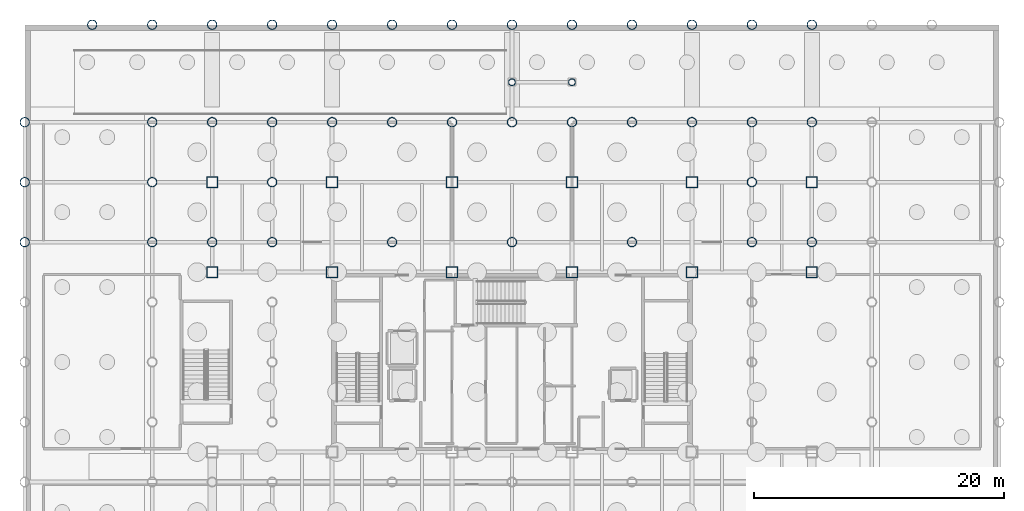
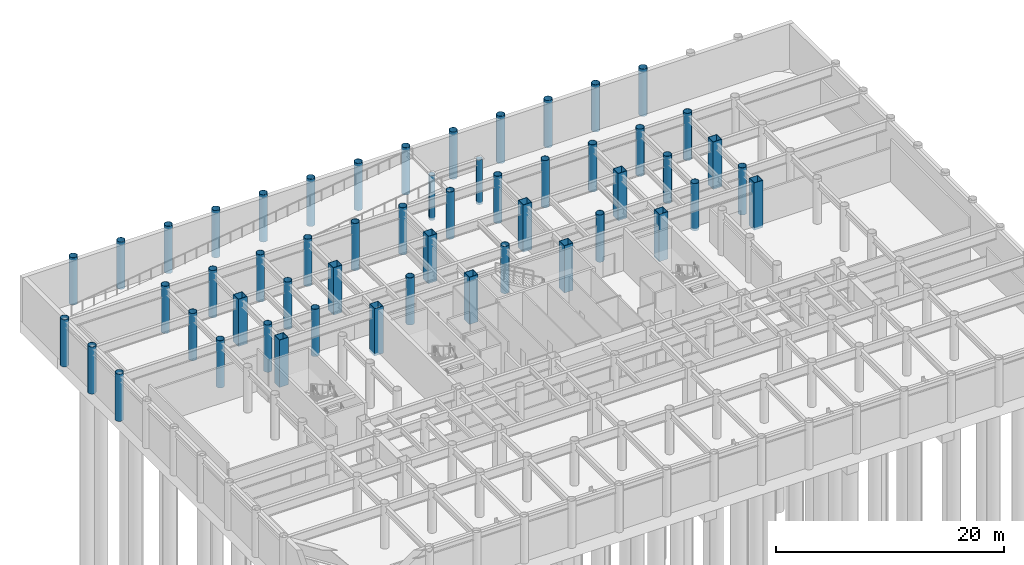
# One storey, part 4 of 17: 53 columns.
"""IFC4 building model written with IfcOpenShell, lengths in metres."""

from ifc_helpers import new_model, si_unit, direction, frame, origin, origin_2d, place, context, subcontext, project, spatial, hollow_rectangle, hollow_circle, extrude, material, material_profile, profile_set, type_object, element, save


model = new_model("IFC4")

# Units and contexts
model_context = context("Model", 3, precision=1e-05, world=origin(), true_north=direction((0.0, 1.0)))
body_context = subcontext(model_context, "Body", "Model", "MODEL_VIEW")
ifc_project = project(units=[si_unit("LENGTHUNIT", "METRE"), si_unit("AREAUNIT", "SQUARE_METRE"), si_unit("VOLUMEUNIT", "CUBIC_METRE"), si_unit("PLANEANGLEUNIT", "RADIAN"), si_unit("MASSUNIT", "GRAM", prefix="KILO")], contexts=[model_context])

# Site, building, storey
site_placement = place(None, origin())
site = spatial("IfcSite", under=ifc_project, at=site_placement, CompositionType="ELEMENT")
building_placement = place(site_placement, origin())
building = spatial("IfcBuilding", under=site, at=building_placement, Name="Kallvorn Hotel Tower", CompositionType="ELEMENT")
storey_placement = place(building_placement, frame((0.0, 0.0, -10.199951171875)))
storey = spatial("IfcBuildingStorey", under=building, at=storey_placement, Name="B2", CompositionType="ELEMENT", Elevation=-10.199951171875)

# Columns
ifc_material_1 = material(Name="Structural steel S355J2H", Category="steel")
ifc_material_profile_1 = material_profile(ifc_material_1, hollow_circle(Radius=0.279541015625, WallThickness=0.02490234375, at=origin_2d()), Name="CHS 559x25")
ifc_profile_set_1 = profile_set([ifc_material_profile_1], Name="Structural steel S355J2H")
column_type_1 = type_object("IfcColumnType", Name="COL_CHS_559", PredefinedType="COLUMN", material=ifc_profile_set_1)
for number, where, z_axis, x_axis, name in (
    (1, (0.0, 22.39990234375, -0.25), (0.0, 0.0, 1.0), (1.0, 0.0, 0.0), "B2 Vehicle Ramp Support Column W"),
    (2, (4.800048828125, 22.39990234375, -0.25), (0.0, 0.0, 1.0), (1.0, 0.0, 0.0), "B2 Vehicle Ramp Support Column E"),
):
    element("IfcColumn", number, at=place(storey_placement, frame(where, z_axis=z_axis, x_axis=x_axis)), inside=storey, type_object=column_type_1, Name=name, PredefinedType="COLUMN", context=body_context, shape_type="SweptSolid", body=[
        extrude(hollow_circle(Radius=0.279541015625, WallThickness=0.02490234375, at=origin_2d()), origin(), (0.0, 0.0, 1.0), 4.800048828125),
    ])
ifc_material_2 = material(Name="Structural steel S355J2H", Category="steel")
ifc_material_profile_2 = material_profile(ifc_material_2, hollow_circle(Radius=0.381103515625, WallThickness=0.031982421875, at=origin_2d()), Name="CHS 762x32")
ifc_profile_set_2 = profile_set([ifc_material_profile_2], Name="Structural steel S355J2H")
column_type_2 = type_object("IfcColumnType", Name="COL_CHS_762", PredefinedType="COLUMN", material=ifc_profile_set_2)
for number, where, z_axis, x_axis, name in (
    (3, (-39.0, 9.60009765625, -0.25), (0.0, 0.0, 1.0), (1.0, 0.0, 0.0), "B2 Exoskeleton Column EC07"),
    (4, (-39.0, 14.39990234375, -0.25), (0.0, 0.0, 1.0), (1.0, 0.0, 0.0), "B2 Exoskeleton Column EC08"),
    (5, (-39.0, 19.199951171875, -0.25), (0.0, 0.0, 1.0), (1.0, 0.0, 0.0), "B2 Exoskeleton Column EC09"),
    (6, (-33.60009765625, 27.0, -0.25), (0.0, 0.0, 1.0), (1.0, 0.0, 0.0), "B2 Exoskeleton Column EC11"),
    (7, (-28.800048828125, 9.60009765625, -0.25), (0.0, 0.0, 1.0), (1.0, 0.0, 0.0), "B2 Exoskeleton Column EC19"),
    (8, (-28.800048828125, 14.39990234375, -0.25), (0.0, 0.0, 1.0), (1.0, 0.0, 0.0), "B2 Exoskeleton Column EC20"),
    (9, (-28.800048828125, 19.199951171875, -0.25), (0.0, 0.0, 1.0), (1.0, 0.0, 0.0), "B2 Exoskeleton Column EC21"),
    (10, (-28.800048828125, 27.0, -0.25), (0.0, 0.0, 1.0), (1.0, 0.0, 0.0), "B2 Exoskeleton Column EC22"),
    (11, (-24.0, 9.60009765625, -0.25), (0.0, 0.0, 1.0), (1.0, 0.0, 0.0), "B2 Exoskeleton Column EC26"),
    (12, (-24.0, 19.199951171875, -0.25), (0.0, 0.0, 1.0), (1.0, 0.0, 0.0), "B2 Exoskeleton Column EC27"),
    (13, (-24.0, 27.0, -0.25), (0.0, 0.0, 1.0), (1.0, 0.0, 0.0), "B2 Exoskeleton Column EC28"),
    (14, (-19.199951171875, 9.60009765625, -0.25), (0.0, 0.0, 1.0), (1.0, 0.0, 0.0), "B2 Exoskeleton Column EC36"),
    (15, (-19.199951171875, 14.39990234375, -0.25), (0.0, 0.0, 1.0), (1.0, 0.0, 0.0), "B2 Exoskeleton Column EC37"),
    (16, (-19.199951171875, 19.199951171875, -0.25), (0.0, 0.0, 1.0), (1.0, 0.0, 0.0), "B2 Exoskeleton Column EC38"),
    (17, (-19.199951171875, 27.0, -0.25), (0.0, 0.0, 1.0), (1.0, 0.0, 0.0), "B2 Exoskeleton Column EC39"),
    (18, (-14.39990234375, 19.199951171875, -0.25), (0.0, 0.0, 1.0), (1.0, 0.0, 0.0), "B2 Exoskeleton Column EC42"),
    (19, (-14.39990234375, 27.0, -0.25), (0.0, 0.0, 1.0), (1.0, 0.0, 0.0), "B2 Exoskeleton Column EC43"),
    (20, (-9.60009765625, 9.60009765625, -0.25), (0.0, 0.0, 1.0), (1.0, 0.0, 0.0), "B2 Exoskeleton Column EC47"),
    (21, (-9.60009765625, 19.199951171875, -0.25), (0.0, 0.0, 1.0), (1.0, 0.0, 0.0), "B2 Exoskeleton Column EC48"),
    (22, (-9.60009765625, 27.0, -0.25), (0.0, 0.0, 1.0), (1.0, 0.0, 0.0), "B2 Exoskeleton Column EC49"),
    (23, (-4.800048828125, 19.199951171875, -0.25), (0.0, 0.0, 1.0), (1.0, 0.0, 0.0), "B2 Exoskeleton Column EC52"),
    (24, (-4.800048828125, 27.0, -0.25), (0.0, 0.0, 1.0), (1.0, 0.0, 0.0), "B2 Exoskeleton Column EC53"),
    (25, (0.0, 9.60009765625, -0.25), (0.0, 0.0, 1.0), (1.0, 0.0, 0.0), "B2 Exoskeleton Column EC57"),
    (26, (0.0, 19.199951171875, -0.25), (0.0, 0.0, 1.0), (1.0, 0.0, 0.0), "B2 Exoskeleton Column EC58"),
    (27, (0.0, 27.0, -0.25), (0.0, 0.0, 1.0), (1.0, 0.0, 0.0), "B2 Exoskeleton Column EC59"),
    (28, (4.800048828125, 19.199951171875, -0.25), (0.0, 0.0, 1.0), (1.0, 0.0, 0.0), "B2 Exoskeleton Column EC62"),
    (29, (4.800048828125, 27.0, -0.25), (0.0, 0.0, 1.0), (1.0, 0.0, 0.0), "B2 Exoskeleton Column EC63"),
    (30, (9.60009765625, 9.60009765625, -0.25), (0.0, 0.0, 1.0), (1.0, 0.0, 0.0), "B2 Exoskeleton Column EC67"),
    (31, (9.60009765625, 19.199951171875, -0.25), (0.0, 0.0, 1.0), (1.0, 0.0, 0.0), "B2 Exoskeleton Column EC68"),
    (32, (9.60009765625, 27.0, -0.25), (0.0, 0.0, 1.0), (1.0, 0.0, 0.0), "B2 Exoskeleton Column EC69"),
    (33, (14.39990234375, 19.199951171875, -0.25), (0.0, 0.0, 1.0), (1.0, 0.0, 0.0), "B2 Exoskeleton Column EC72"),
    (34, (14.39990234375, 27.0, -0.25), (0.0, 0.0, 1.0), (1.0, 0.0, 0.0), "B2 Exoskeleton Column EC73"),
    (35, (19.199951171875, 9.60009765625, -0.25), (0.0, 0.0, 1.0), (1.0, 0.0, 0.0), "B2 Exoskeleton Column EC81"),
    (36, (19.199951171875, 14.39990234375, -0.25), (0.0, 0.0, 1.0), (1.0, 0.0, 0.0), "B2 Exoskeleton Column EC82"),
    (37, (19.199951171875, 19.199951171875, -0.25), (0.0, 0.0, 1.0), (1.0, 0.0, 0.0), "B2 Exoskeleton Column EC83"),
    (38, (19.199951171875, 27.0, -0.25), (0.0, 0.0, 1.0), (1.0, 0.0, 0.0), "B2 Exoskeleton Column EC84"),
    (39, (24.0, 9.60009765625, -0.25), (0.0, 0.0, 1.0), (1.0, 0.0, 0.0), "B2 Exoskeleton Column EC88"),
    (40, (24.0, 19.199951171875, -0.25), (0.0, 0.0, 1.0), (1.0, 0.0, 0.0), "B2 Exoskeleton Column EC89"),
    (41, (24.0, 27.0, -0.25), (0.0, 0.0, 1.0), (1.0, 0.0, 0.0), "B2 Exoskeleton Column EC90"),
):
    element("IfcColumn", number, at=place(storey_placement, frame(where, z_axis=z_axis, x_axis=x_axis)), inside=storey, type_object=column_type_2, Name=name, PredefinedType="COLUMN", context=body_context, shape_type="SweptSolid", body=[
        extrude(hollow_circle(Radius=0.381103515625, WallThickness=0.031982421875, at=origin_2d()), origin(), (0.0, 0.0, 1.0), 5.050048828125),
    ])
ifc_material_3 = material(Name="Structural steel S355J2H", Category="steel")
ifc_material_profile_3 = material_profile(ifc_material_3, hollow_rectangle(XDim=0.89990234375, YDim=0.89990234375, WallThickness=0.0400390625, at=origin_2d()), Name="RHS 900x900x40")
ifc_profile_set_3 = profile_set([ifc_material_profile_3], Name="Structural steel S355J2H")
column_type_3 = type_object("IfcColumnType", Name="COL_RHS_900", PredefinedType="COLUMN", material=ifc_profile_set_3)
for number, where, z_axis, x_axis, name in (
    (42, (-24.0, 7.199951171875, -0.25), (0.0, 0.0, 1.0), (1.0, 0.0, 0.0), "B2 Inner Column IC03"),
    (43, (-24.0, 14.39990234375, -0.25), (0.0, 0.0, 1.0), (1.0, 0.0, 0.0), "B2 Inner Column IC04"),
    (44, (-14.39990234375, 7.199951171875, -0.25), (0.0, 0.0, 1.0), (1.0, 0.0, 0.0), "B2 Inner Column IC07"),
    (45, (-14.39990234375, 14.39990234375, -0.25), (0.0, 0.0, 1.0), (1.0, 0.0, 0.0), "B2 Inner Column IC08"),
    (46, (-4.800048828125, 7.199951171875, -0.25), (0.0, 0.0, 1.0), (1.0, 0.0, 0.0), "B2 Inner Column IC11"),
    (47, (-4.800048828125, 14.39990234375, -0.25), (0.0, 0.0, 1.0), (1.0, 0.0, 0.0), "B2 Inner Column IC12"),
    (48, (4.800048828125, 7.199951171875, -0.25), (0.0, 0.0, 1.0), (1.0, 0.0, 0.0), "B2 Inner Column IC15"),
    (49, (4.800048828125, 14.39990234375, -0.25), (0.0, 0.0, 1.0), (1.0, 0.0, 0.0), "B2 Inner Column IC16"),
    (50, (14.39990234375, 7.199951171875, -0.25), (0.0, 0.0, 1.0), (1.0, 0.0, 0.0), "B2 Inner Column IC19"),
    (51, (14.39990234375, 14.39990234375, -0.25), (0.0, 0.0, 1.0), (1.0, 0.0, 0.0), "B2 Inner Column IC20"),
    (52, (24.0, 7.199951171875, -0.25), (0.0, 0.0, 1.0), (1.0, 0.0, 0.0), "B2 Inner Column IC23"),
    (53, (24.0, 14.39990234375, -0.25), (0.0, 0.0, 1.0), (1.0, 0.0, 0.0), "B2 Inner Column IC24"),
):
    element("IfcColumn", number, at=place(storey_placement, frame(where, z_axis=z_axis, x_axis=x_axis)), inside=storey, type_object=column_type_3, Name=name, PredefinedType="COLUMN", context=body_context, shape_type="SweptSolid", body=[
        extrude(hollow_rectangle(XDim=0.89990234375, YDim=0.89990234375, WallThickness=0.0400390625, at=origin_2d()), origin(), (0.0, 0.0, 1.0), 5.050048828125),
    ])

save(model, "model.ifc")
